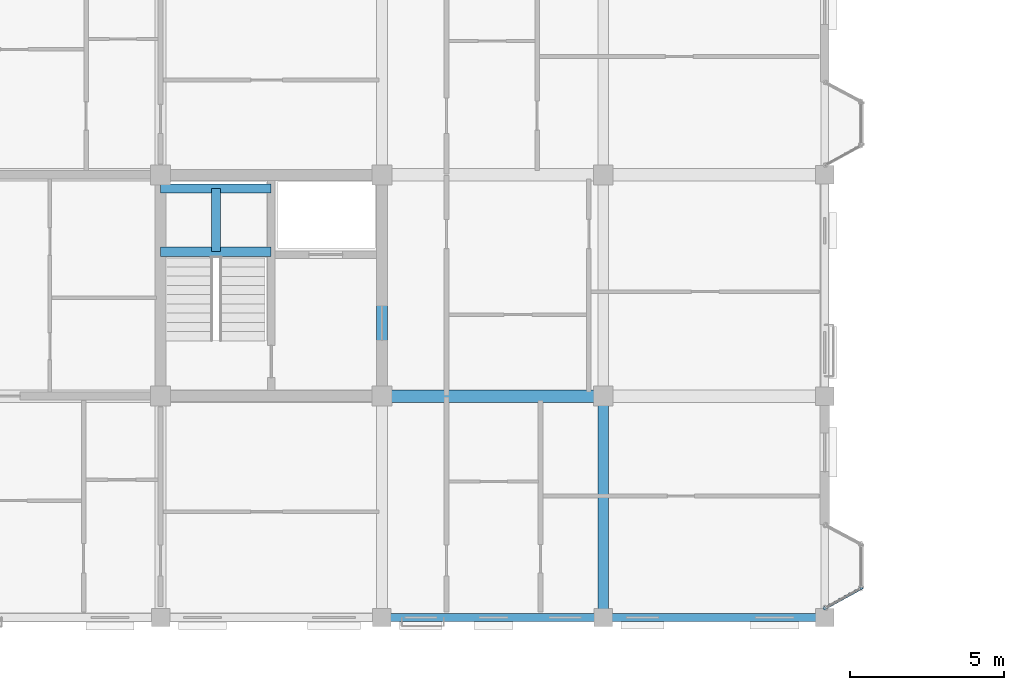
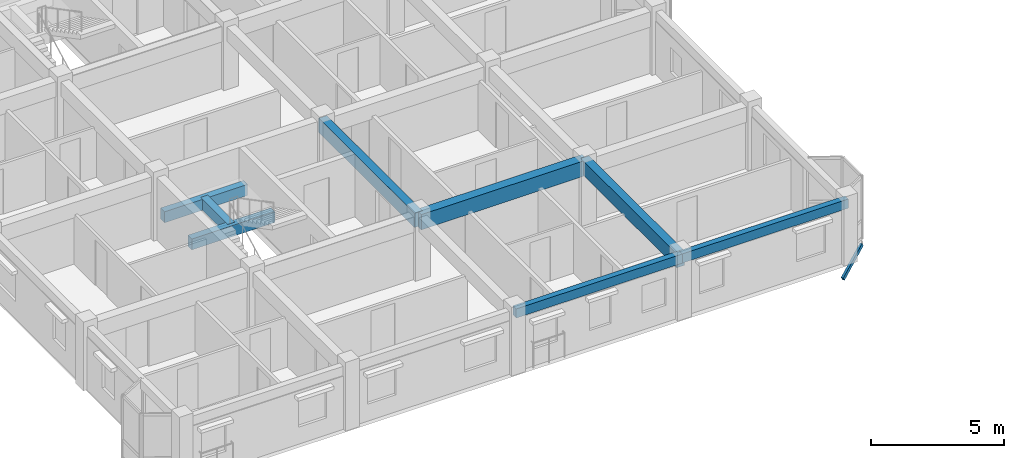
# One storey, part 5 of 124: 8 beams, 1 member.
"""IFC4 building model written with IfcOpenShell, lengths in metres."""

from ifc_helpers import new_model, si_unit, direction, frame, origin, origin_2d, place, context, subcontext, project, spatial, rectangle, hollow_rectangle, extrude, material, material_profile, profile_set, type_object, element, save


model = new_model("IFC4")

# Units and contexts
model_context = context("Model", 3, precision=1e-05, world=origin(), true_north=direction((0.0, 1.0)))
body_context = subcontext(model_context, "Body", "Model", "MODEL_VIEW")
ifc_project = project(units=[si_unit("LENGTHUNIT", "METRE"), si_unit("AREAUNIT", "SQUARE_METRE"), si_unit("VOLUMEUNIT", "CUBIC_METRE"), si_unit("PLANEANGLEUNIT", "RADIAN"), si_unit("MASSUNIT", "GRAM", prefix="KILO"), si_unit("THERMODYNAMICTEMPERATUREUNIT", "KELVIN"), si_unit("POWERUNIT", "WATT")], contexts=[model_context])

# Site, building, storey
site_placement = place(None, origin())
site = spatial("IfcSite", under=ifc_project, at=site_placement, CompositionType="ELEMENT")
building_placement = place(site_placement, origin())
building = spatial("IfcBuilding", under=site, at=building_placement, Name="Tavuni Mirador Residences", CompositionType="ELEMENT")
storey_placement = place(building_placement, frame((0.0, 0.0, 7.64990234375)))
storey = spatial("IfcBuildingStorey", under=building, at=storey_placement, Name="L02", CompositionType="ELEMENT", Elevation=7.64990234375)

# Beams
ifc_material_1 = material(Name="Precast concrete C40/50", Category="concrete")
ifc_material_profile_1 = material_profile(ifc_material_1, rectangle(XDim=0.300048828125, YDim=0.5, at=origin_2d()), Name="PC 300x500", Category="concrete")
ifc_profile_set_1 = profile_set([ifc_material_profile_1], Name="Precast concrete C40/50")
beam_type_1 = type_object("IfcBeamType", Name="BT-B500", PredefinedType="BEAM", material=ifc_profile_set_1)
for number, where, z_axis, x_axis, name in (
    (1, (10.800048828125, 19.10009765625, 1.14501953125), (1.0, 0.0, 0.0), (0.0, 1.0, 0.0), "HLB1-C1-L02"),
    (2, (10.800048828125, 21.14990234375, 1.14501953125), (1.0, 0.0, 0.0), (0.0, 1.0, 0.0), "HLB2-C1-L02"),
):
    element("IfcBeam", number, at=place(storey_placement, frame(where, z_axis=z_axis, x_axis=x_axis)), inside=storey, type_object=beam_type_1, Name=name, PredefinedType="BEAM", context=body_context, shape_type="SweptSolid", body=[
        extrude(rectangle(XDim=0.300048828125, YDim=0.5, at=origin_2d()), origin(), (0.0, 0.0, 1.0), 3.599853515625),
    ])
beam_1_placement = place(storey_placement, frame((12.60009765625, 19.10009765625, 1.14501953125), z_axis=(0.0, 1.0, 0.0), x_axis=(-1.0, 0.0, 0.0)))
element("IfcBeam", 3, at=beam_1_placement, inside=storey, type_object=beam_type_1, Name="HLB3-C1-L02", PredefinedType="BEAM", context=body_context, shape_type="SweptSolid", body=[
    extrude(rectangle(XDim=0.300048828125, YDim=0.5, at=origin_2d()), origin(), (0.0, 0.0, 1.0), 2.0498046875),
])
ifc_material_profile_2 = material_profile(ifc_material_1, rectangle(XDim=0.35009765625, YDim=0.64990234375, at=origin_2d()), Name="PC 350x650", Category="concrete")
ifc_profile_set_2 = profile_set([ifc_material_profile_2], Name="Precast concrete C40/50")
beam_type_2 = type_object("IfcBeamType", Name="BT-B650", PredefinedType="BEAM", material=ifc_profile_set_2)
beam_2_placement = place(storey_placement, frame((18.0, 14.39990234375, 2.545166015625), z_axis=(0.0, 1.0, 0.0), x_axis=(-1.0, 0.0, 0.0)))
element("IfcBeam", 4, at=beam_2_placement, inside=storey, type_object=beam_type_2, Name="BMY-BLK-A-L02-02-01", PredefinedType="BEAM", context=body_context, shape_type="SweptSolid", body=[
    extrude(rectangle(XDim=0.35009765625, YDim=0.64990234375, at=origin_2d()), origin(), (0.0, 0.0, 1.0), 7.2001953125),
])
beam_3_placement = place(storey_placement, frame((25.199951171875, 7.199951171875, 2.545166015625), z_axis=(0.0, 1.0, 0.0), x_axis=(-1.0, 0.0, 0.0)))
element("IfcBeam", 5, at=beam_3_placement, inside=storey, type_object=beam_type_2, Name="BMY-BLK-A-L02-03-00", PredefinedType="BEAM", context=body_context, shape_type="SweptSolid", body=[
    extrude(rectangle(XDim=0.35009765625, YDim=0.64990234375, at=origin_2d()), origin(), (0.0, 0.0, 1.0), 7.199951171875),
])
ifc_material_profile_3 = material_profile(ifc_material_1, rectangle(XDim=0.39990234375, YDim=0.699951171875, at=origin_2d()), Name="PC 400x700", Category="concrete")
ifc_profile_set_3 = profile_set([ifc_material_profile_3], Name="Precast concrete C40/50")
beam_type_3 = type_object("IfcBeamType", Name="BT-B700", PredefinedType="BEAM", material=ifc_profile_set_3)
beam_4_placement = place(storey_placement, frame((18.0, 14.39990234375, 2.52001953125), z_axis=(1.0, 0.0, 0.0), x_axis=(0.0, 1.0, 0.0)))
element("IfcBeam", 6, at=beam_4_placement, inside=storey, type_object=beam_type_3, Name="BMX-BLK-A-L02-02-01", PredefinedType="BEAM", context=body_context, shape_type="SweptSolid", body=[
    extrude(rectangle(XDim=0.39990234375, YDim=0.699951171875, at=origin_2d()), origin(), (0.0, 0.0, 1.0), 7.199951171875),
])
ifc_material_profile_4 = material_profile(ifc_material_1, rectangle(XDim=0.25, YDim=0.419921875, at=origin_2d()), Name="PC 250x420", Category="concrete")
ifc_profile_set_4 = profile_set([ifc_material_profile_4], Name="Precast concrete C40/50")
beam_type_4 = type_object("IfcBeamType", Name="BT-SP420", PredefinedType="SPANDREL", material=ifc_profile_set_4)
for number, where, z_axis, x_axis, name in (
    (7, (18.0, 7.199951171875, 2.66015625), (1.0, 0.0, 0.0), (0.0, 1.0, 0.0), "BMX-BLK-A-L02-02-00"),
    (8, (25.199951171875, 7.199951171875, 2.66015625), (1.0, 0.0, 0.0), (0.0, 1.0, 0.0), "BMX-BLK-A-L02-03-00"),
):
    element("IfcBeam", number, at=place(storey_placement, frame(where, z_axis=z_axis, x_axis=x_axis)), inside=storey, type_object=beam_type_4, Name=name, PredefinedType="SPANDREL", context=body_context, shape_type="SweptSolid", body=[
        extrude(rectangle(XDim=0.25, YDim=0.419921875, at=origin_2d()), origin(), (0.0, 0.0, 1.0), 7.199951171875),
    ])

# Member
ifc_material_2 = material(Name="Structural steel S355", Category="steel")
ifc_material_profile_5 = material_profile(ifc_material_2, hollow_rectangle(XDim=0.10009765625, YDim=0.179931640625, WallThickness=0.008056640625, at=origin_2d()), Name="RHS 180x100x8.0", Category="steel")
ifc_profile_set_5 = profile_set([ifc_material_profile_5], Name="Structural steel S355")
member_type = type_object("IfcMemberType", Name="MT-BR-RHS180", PredefinedType="BRACE", material=ifc_profile_set_5)
member_placement = place(storey_placement, frame((32.39990234375, 7.5, -1.0498046875), z_axis=(0.76383874546, 0.419987007522, 0.49006253116), x_axis=(-0.481809264355, 0.876276116747, 0.0)))
element("IfcMember", 9, at=member_placement, inside=storey, type_object=member_type, Name="MBRK-MIR-A-E1-L02-1", PredefinedType="BRACE", context=body_context, shape_type="SweptSolid", body=[
    extrude(hollow_rectangle(XDim=0.10009765625, YDim=0.179931640625, WallThickness=0.008056640625, at=origin_2d()), origin(), (0.0, 0.0, 1.0), 1.5712890625),
])

save(model, "model.ifc")
